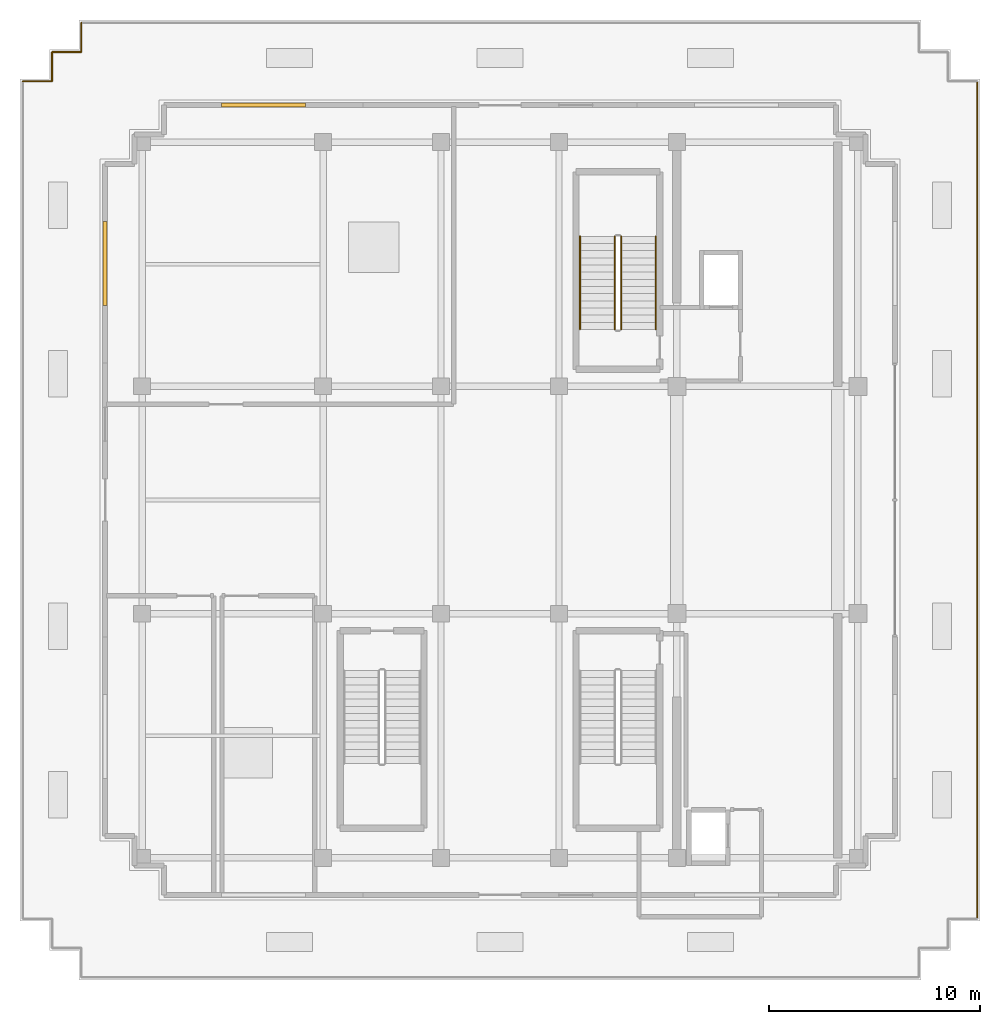
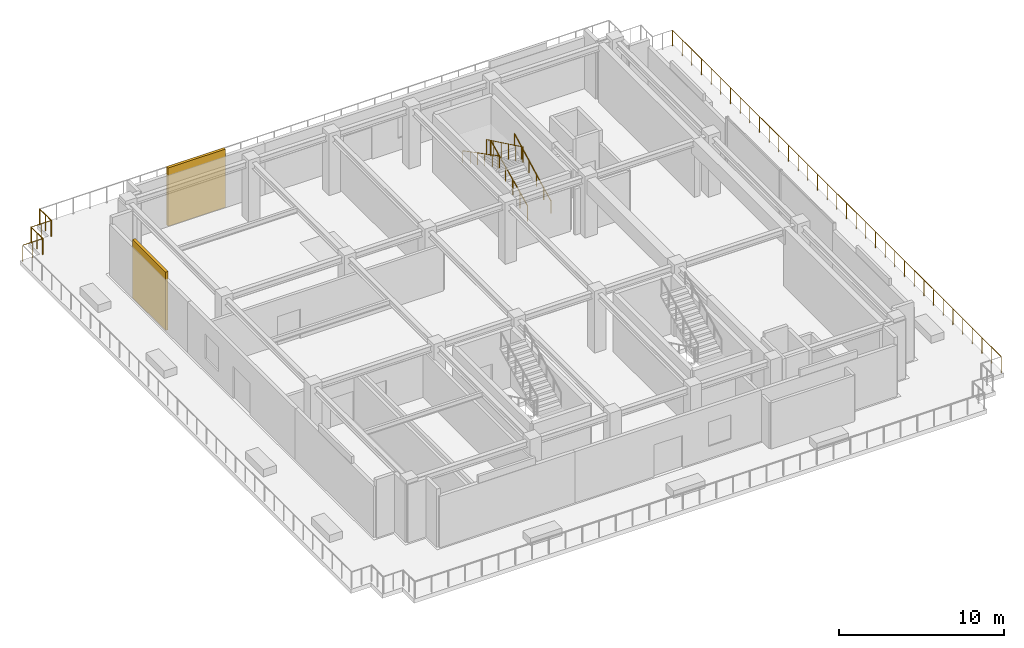
# One storey, part 10 of 13: 9 railings, 2 shading devices.
"""IFC4 building model written with IfcOpenShell, lengths in metres."""

from ifc_helpers import new_model, si_unit, direction, frame, origin, origin_2d, place, context, subcontext, project, spatial, rectangle, circle, extrude, source, transform, mapped, material, layer, layer_set, type_object, element, save


model = new_model("IFC4")

# Units and contexts
model_context = context("Model", 3, precision=1e-05, world=origin(), true_north=direction((0.0, 1.0)))
body_context = subcontext(model_context, "Body", "Model", "MODEL_VIEW")
ifc_project = project(units=[si_unit("LENGTHUNIT", "METRE"), si_unit("AREAUNIT", "SQUARE_METRE"), si_unit("VOLUMEUNIT", "CUBIC_METRE"), si_unit("PLANEANGLEUNIT", "RADIAN"), si_unit("MASSUNIT", "GRAM", prefix="KILO")], contexts=[model_context])

# Site, building, storey
site_placement = place(None, origin())
site = spatial("IfcSite", under=ifc_project, at=site_placement, CompositionType="ELEMENT")
building_placement = place(site_placement, origin())
building = spatial("IfcBuilding", under=site, at=building_placement, Name="Nahalor Promenade Grand Hotel", CompositionType="ELEMENT")
storey_placement = place(building_placement, frame((0.0, 0.0, 357.050048828125)))
storey = spatial("IfcBuildingStorey", under=building, at=storey_placement, Name="L91", CompositionType="ELEMENT", Elevation=357.050048828125)

# Railings
ifc_material_1 = material(Name="Anodised Bronze Aluminium EN AW-6063 T6", Category="aluminium")
railing_type_1 = type_object("IfcRailingType", Name="Bronze Balcony Guardrail 1200 mm", PredefinedType="GUARDRAIL", material=ifc_material_1)
railing_1_placement = place(storey_placement, frame((22.679931640625, -19.8798828125, 0.0)))
element("IfcRailing", 1, at=railing_1_placement, inside=storey, type_object=railing_type_1, Name="L91 Edge Guardrail RL-L91-SG-6", PredefinedType="GUARDRAIL", context=body_context, shape_type="SweptSolid", body=[
    extrude(circle(Radius=0.024048, at=origin_2d()), frame((0.0, 0.0, 1.17578125), z_axis=(0.0, 1.0, 0.0), x_axis=(-1.0, 0.0, 0.0)), (0.0, 0.0, 1.0), 39.759765625),
    extrude(circle(Radius=0.020996, at=origin_2d()), origin(), (0.0, 0.0, 1.0), 1.14990234375),
    extrude(circle(Radius=0.020996, at=origin_2d()), frame((0.0, 1.16943359375, 0.0)), (0.0, 0.0, 1.0), 1.14990234375),
    extrude(circle(Radius=0.020996, at=origin_2d()), frame((0.0, 2.3388671875, 0.0)), (0.0, 0.0, 1.0), 1.14990234375),
    extrude(circle(Radius=0.020996, at=origin_2d()), frame((0.0, 3.50830078125, 0.0)), (0.0, 0.0, 1.0), 1.14990234375),
    extrude(circle(Radius=0.020996, at=origin_2d()), frame((0.0, 4.677734375, 0.0)), (0.0, 0.0, 1.0), 1.14990234375),
    extrude(circle(Radius=0.020996, at=origin_2d()), frame((0.0, 5.846923828125, 0.0)), (0.0, 0.0, 1.0), 1.14990234375),
    extrude(circle(Radius=0.020996, at=origin_2d()), frame((0.0, 7.016357421875, 0.0)), (0.0, 0.0, 1.0), 1.14990234375),
    extrude(circle(Radius=0.020996, at=origin_2d()), frame((0.0, 8.185791015625, 0.0)), (0.0, 0.0, 1.0), 1.14990234375),
    extrude(circle(Radius=0.020996, at=origin_2d()), frame((0.0, 9.355224609375, 0.0)), (0.0, 0.0, 1.0), 1.14990234375),
    extrude(circle(Radius=0.020996, at=origin_2d()), frame((0.0, 10.524658203125, 0.0)), (0.0, 0.0, 1.0), 1.14990234375),
    extrude(circle(Radius=0.020996, at=origin_2d()), frame((0.0, 11.694091796875, 0.0)), (0.0, 0.0, 1.0), 1.14990234375),
    extrude(circle(Radius=0.020996, at=origin_2d()), frame((0.0, 12.863525390625, 0.0)), (0.0, 0.0, 1.0), 1.14990234375),
    extrude(circle(Radius=0.020996, at=origin_2d()), frame((0.0, 14.032958984375, 0.0)), (0.0, 0.0, 1.0), 1.14990234375),
    extrude(circle(Radius=0.020996, at=origin_2d()), frame((0.0, 15.2021484375, 0.0)), (0.0, 0.0, 1.0), 1.14990234375),
    extrude(circle(Radius=0.020996, at=origin_2d()), frame((0.0, 16.37158203125, 0.0)), (0.0, 0.0, 1.0), 1.14990234375),
    extrude(circle(Radius=0.020996, at=origin_2d()), frame((0.0, 17.541015625, 0.0)), (0.0, 0.0, 1.0), 1.14990234375),
    extrude(circle(Radius=0.020996, at=origin_2d()), frame((0.0, 18.71044921875, 0.0)), (0.0, 0.0, 1.0), 1.14990234375),
    extrude(circle(Radius=0.020996, at=origin_2d()), frame((0.0, 19.8798828125, 0.0)), (0.0, 0.0, 1.0), 1.14990234375),
    extrude(circle(Radius=0.020996, at=origin_2d()), frame((0.0, 21.04931640625, 0.0)), (0.0, 0.0, 1.0), 1.14990234375),
    extrude(circle(Radius=0.020996, at=origin_2d()), frame((0.0, 22.21875, 0.0)), (0.0, 0.0, 1.0), 1.14990234375),
    extrude(circle(Radius=0.020996, at=origin_2d()), frame((0.0, 23.38818359375, 0.0)), (0.0, 0.0, 1.0), 1.14990234375),
    extrude(circle(Radius=0.020996, at=origin_2d()), frame((0.0, 24.5576171875, 0.0)), (0.0, 0.0, 1.0), 1.14990234375),
    extrude(circle(Radius=0.020996, at=origin_2d()), frame((0.0, 25.726806640625, 0.0)), (0.0, 0.0, 1.0), 1.14990234375),
    extrude(circle(Radius=0.020996, at=origin_2d()), frame((0.0, 26.896240234375, 0.0)), (0.0, 0.0, 1.0), 1.14990234375),
    extrude(circle(Radius=0.020996, at=origin_2d()), frame((0.0, 28.065673828125, 0.0)), (0.0, 0.0, 1.0), 1.14990234375),
    extrude(circle(Radius=0.020996, at=origin_2d()), frame((0.0, 29.235107421875, 0.0)), (0.0, 0.0, 1.0), 1.14990234375),
    extrude(circle(Radius=0.020996, at=origin_2d()), frame((0.0, 30.404541015625, 0.0)), (0.0, 0.0, 1.0), 1.14990234375),
    extrude(circle(Radius=0.020996, at=origin_2d()), frame((0.0, 31.573974609375, 0.0)), (0.0, 0.0, 1.0), 1.14990234375),
    extrude(circle(Radius=0.020996, at=origin_2d()), frame((0.0, 32.743408203125, 0.0)), (0.0, 0.0, 1.0), 1.14990234375),
    extrude(circle(Radius=0.020996, at=origin_2d()), frame((0.0, 33.912841796875, 0.0)), (0.0, 0.0, 1.0), 1.14990234375),
    extrude(circle(Radius=0.020996, at=origin_2d()), frame((0.0, 35.08203125, 0.0)), (0.0, 0.0, 1.0), 1.14990234375),
    extrude(circle(Radius=0.020996, at=origin_2d()), frame((0.0, 36.25146484375, 0.0)), (0.0, 0.0, 1.0), 1.14990234375),
    extrude(circle(Radius=0.020996, at=origin_2d()), frame((0.0, 37.4208984375, 0.0)), (0.0, 0.0, 1.0), 1.14990234375),
    extrude(circle(Radius=0.020996, at=origin_2d()), frame((0.0, 38.59033203125, 0.0)), (0.0, 0.0, 1.0), 1.14990234375),
    extrude(circle(Radius=0.020996, at=origin_2d()), frame((0.0, 39.759765625, 0.0)), (0.0, 0.0, 1.0), 1.14990234375),
])
railing_2_placement = place(storey_placement, frame((-19.8798828125, 22.679931640625, 0.0)))
element("IfcRailing", 2, at=railing_2_placement, inside=storey, type_object=railing_type_1, Name="L91 Edge Guardrail RL-L91-SG-12", PredefinedType="GUARDRAIL", context=body_context, shape_type="SweptSolid", body=[
    extrude(circle(Radius=0.024048, at=origin_2d()), frame((0.0, 0.0, 1.17578125), z_axis=(0.0, -1.0, 0.0), x_axis=(1.0, 0.0, 0.0)), (0.0, 0.0, 1.0), 1.39990234375),
    extrude(circle(Radius=0.020996, at=origin_2d()), origin(), (0.0, 0.0, 1.0), 1.14990234375),
    extrude(circle(Radius=0.020996, at=origin_2d()), frame((0.0, -0.699951171875, 0.0)), (0.0, 0.0, 1.0), 1.14990234375),
    extrude(circle(Radius=0.020996, at=origin_2d()), frame((0.0, -1.39990234375, 0.0)), (0.0, 0.0, 1.0), 1.14990234375),
])
railing_3_placement = place(storey_placement, frame((-19.8798828125, 21.280029296875, 0.0)))
element("IfcRailing", 3, at=railing_3_placement, inside=storey, type_object=railing_type_1, Name="L91 Edge Guardrail RL-L91-SG-13", PredefinedType="GUARDRAIL", context=body_context, shape_type="SweptSolid", body=[
    extrude(circle(Radius=0.024048, at=origin_2d()), frame((0.0, 0.0, 1.17578125), z_axis=(-1.0, 0.0, 0.0), x_axis=(0.0, -1.0, 0.0)), (0.0, 0.0, 1.0), 1.400146484375),
    extrude(circle(Radius=0.020996, at=origin_2d()), origin(), (0.0, 0.0, 1.0), 1.14990234375),
    extrude(circle(Radius=0.020996, at=origin_2d()), frame((-0.7001953125, 0.0, 0.0)), (0.0, 0.0, 1.0), 1.14990234375),
    extrude(circle(Radius=0.020996, at=origin_2d()), frame((-1.400146484375, 0.0, 0.0)), (0.0, 0.0, 1.0), 1.14990234375),
])
railing_4_placement = place(storey_placement, frame((-21.280029296875, 21.280029296875, 0.0)))
element("IfcRailing", 4, at=railing_4_placement, inside=storey, type_object=railing_type_1, Name="L91 Edge Guardrail RL-L91-SG-14", PredefinedType="GUARDRAIL", context=body_context, shape_type="SweptSolid", body=[
    extrude(circle(Radius=0.024048, at=origin_2d()), frame((0.0, 0.0, 1.17578125), z_axis=(0.0, -1.0, 0.0), x_axis=(1.0, 0.0, 0.0)), (0.0, 0.0, 1.0), 1.400146484375),
    extrude(circle(Radius=0.020996, at=origin_2d()), origin(), (0.0, 0.0, 1.0), 1.14990234375),
    extrude(circle(Radius=0.020996, at=origin_2d()), frame((0.0, -0.7001953125, 0.0)), (0.0, 0.0, 1.0), 1.14990234375),
    extrude(circle(Radius=0.020996, at=origin_2d()), frame((0.0, -1.400146484375, 0.0)), (0.0, 0.0, 1.0), 1.14990234375),
])
railing_5_placement = place(storey_placement, frame((-21.280029296875, 19.8798828125, 0.0)))
element("IfcRailing", 5, at=railing_5_placement, inside=storey, type_object=railing_type_1, Name="L91 Edge Guardrail RL-L91-SG-15", PredefinedType="GUARDRAIL", context=body_context, shape_type="SweptSolid", body=[
    extrude(circle(Radius=0.024048, at=origin_2d()), frame((0.0, 0.0, 1.17578125), z_axis=(-1.0, 0.0, 0.0), x_axis=(0.0, -1.0, 0.0)), (0.0, 0.0, 1.0), 1.39990234375),
    extrude(circle(Radius=0.020996, at=origin_2d()), origin(), (0.0, 0.0, 1.0), 1.14990234375),
    extrude(circle(Radius=0.020996, at=origin_2d()), frame((-0.699951171875, 0.0, 0.0)), (0.0, 0.0, 1.0), 1.14990234375),
    extrude(circle(Radius=0.020996, at=origin_2d()), frame((-1.39990234375, 0.0, 0.0)), (0.0, 0.0, 1.0), 1.14990234375),
])
ifc_material_2 = material(Name="Steel S355JR", Category="steel")
railing_type_2 = type_object("IfcRailingType", Name="Steel Stair Guardrail 1150 mm", PredefinedType="GUARDRAIL", material=ifc_material_2)
railing_6_placement = place(storey_placement, frame((5.75, 8.10009765625, 0.164306640625)))
element("IfcRailing", 6, at=railing_6_placement, inside=storey, type_object=railing_type_2, Name="L91 ST1 stair guard 1", PredefinedType="GUARDRAIL", context=body_context, shape_type="SweptSolid", body=[
    extrude(circle(Radius=0.024048, at=origin_2d()), frame((0.0, 0.0, 1.1259765625), z_axis=(0.0, 0.900393116817, 0.435077274962), x_axis=(-1.0, 0.0, 0.0)), (0.0, 0.0, 1.0), 4.908935546875),
    extrude(circle(Radius=0.020996, at=origin_2d()), origin(), (0.0, 0.0, 1.0), 1.099853515625),
    extrude(circle(Radius=0.020996, at=origin_2d()), frame((0.0, 0.884033203125, 0.42724609375)), (0.0, 0.0, 1.0), 1.099853515625),
    extrude(circle(Radius=0.020996, at=origin_2d()), frame((0.0, 1.76806640625, 0.854248046875)), (0.0, 0.0, 1.0), 1.099853515625),
    extrude(circle(Radius=0.020996, at=origin_2d()), frame((0.0, 2.65185546875, 1.281494140625)), (0.0, 0.0, 1.0), 1.099853515625),
    extrude(circle(Radius=0.020996, at=origin_2d()), frame((0.0, 3.535888671875, 1.70849609375)), (0.0, 0.0, 1.0), 1.099853515625),
    extrude(circle(Radius=0.020996, at=origin_2d()), frame((0.0, 4.419921875, 2.1357421875)), (0.0, 0.0, 1.0), 1.099853515625),
])
railing_7_placement = place(storey_placement, frame((5.449951171875, 12.52001953125, 2.46435546875)))
element("IfcRailing", 7, at=railing_7_placement, inside=storey, type_object=railing_type_2, Name="L91 ST1 stair guard 3", PredefinedType="GUARDRAIL", context=body_context, shape_type="SweptSolid", body=[
    extrude(circle(Radius=0.024048, at=origin_2d()), frame((0.0, 0.0, 1.1259765625), z_axis=(0.0, -0.900412599352, 0.43503695352), x_axis=(1.0, 0.0, 0.0)), (0.0, 0.0, 1.0), 4.90869140625),
    extrude(circle(Radius=0.020996, at=origin_2d()), origin(), (0.0, 0.0, 1.0), 1.099853515625),
    extrude(circle(Radius=0.020996, at=origin_2d()), frame((0.0, -0.884033203125, 0.427001953125)), (0.0, 0.0, 1.0), 1.099853515625),
    extrude(circle(Radius=0.020996, at=origin_2d()), frame((0.0, -1.76806640625, 0.854248046875)), (0.0, 0.0, 1.0), 1.099853515625),
    extrude(circle(Radius=0.020996, at=origin_2d()), frame((0.0, -2.65185546875, 1.28125)), (0.0, 0.0, 1.0), 1.099853515625),
    extrude(circle(Radius=0.020996, at=origin_2d()), frame((0.0, -3.535888671875, 1.70849609375)), (0.0, 0.0, 1.0), 1.099853515625),
    extrude(circle(Radius=0.020996, at=origin_2d()), frame((0.0, -4.419921875, 2.135498046875)), (0.0, 0.0, 1.0), 1.099853515625),
])
railing_type_3 = type_object("IfcRailingType", Name="Steel Stair Handrail 900 mm", PredefinedType="HANDRAIL", material=ifc_material_2)
railing_8_placement = place(storey_placement, frame((7.39990234375, 8.10009765625, 0.164306640625)))
element("IfcRailing", 8, at=railing_8_placement, inside=storey, type_object=railing_type_3, Name="L91 ST1 stair handrail 1", PredefinedType="HANDRAIL", context=body_context, shape_type="SweptSolid", body=[
    extrude(circle(Radius=0.024048, at=origin_2d()), frame((0.0, 0.0, 0.8759765625), z_axis=(0.0, 0.887077971717, 0.461619618402), x_axis=(-1.0, 0.0, 0.0)), (0.0, 0.0, 1.0), 4.982666015625),
    extrude(circle(Radius=0.020996, at=origin_2d()), origin(), (0.0, 0.0, 1.0), 0.849853515625),
    extrude(circle(Radius=0.020996, at=origin_2d()), frame((0.0, 0.884033203125, 0.4599609375)), (0.0, 0.0, 1.0), 0.849853515625),
    extrude(circle(Radius=0.020996, at=origin_2d()), frame((0.0, 1.76806640625, 0.919921875)), (0.0, 0.0, 1.0), 0.849853515625),
    extrude(circle(Radius=0.020996, at=origin_2d()), frame((0.0, 2.65185546875, 1.380126953125)), (0.0, 0.0, 1.0), 0.849853515625),
    extrude(circle(Radius=0.020996, at=origin_2d()), frame((0.0, 3.535888671875, 1.840087890625)), (0.0, 0.0, 1.0), 0.849853515625),
    extrude(circle(Radius=0.020996, at=origin_2d()), frame((0.0, 4.419921875, 2.300048828125)), (0.0, 0.0, 1.0), 0.849853515625),
])
railing_9_placement = place(storey_placement, frame((3.800048828125, 12.52001953125, 2.46435546875)))
element("IfcRailing", 9, at=railing_9_placement, inside=storey, type_object=railing_type_3, Name="L91 ST1 stair handrail 2", PredefinedType="HANDRAIL", context=body_context, shape_type="SweptSolid", body=[
    extrude(circle(Radius=0.024048, at=origin_2d()), frame((0.0, 0.0, 0.8759765625), z_axis=(0.0, -0.887098036063, 0.461581059418), x_axis=(1.0, 0.0, 0.0)), (0.0, 0.0, 1.0), 4.982421875),
    extrude(circle(Radius=0.020996, at=origin_2d()), origin(), (0.0, 0.0, 1.0), 0.849853515625),
    extrude(circle(Radius=0.020996, at=origin_2d()), frame((0.0, -0.884033203125, 0.4599609375)), (0.0, 0.0, 1.0), 0.849853515625),
    extrude(circle(Radius=0.020996, at=origin_2d()), frame((0.0, -1.76806640625, 0.919921875)), (0.0, 0.0, 1.0), 0.849853515625),
    extrude(circle(Radius=0.020996, at=origin_2d()), frame((0.0, -2.65185546875, 1.3798828125)), (0.0, 0.0, 1.0), 0.849853515625),
    extrude(circle(Radius=0.020996, at=origin_2d()), frame((0.0, -3.535888671875, 1.83984375)), (0.0, 0.0, 1.0), 0.849853515625),
    extrude(circle(Radius=0.020996, at=origin_2d()), frame((0.0, -4.419921875, 2.2998046875)), (0.0, 0.0, 1.0), 0.849853515625),
])

# Shading devices
ifc_layer = layer(ifc_material_1, 0.179931640625)
ifc_layer_set = layer_set([ifc_layer], Name="Anodised Bronze Aluminium EN AW-6063 T6")
shading_device_type = type_object("IfcShadingDeviceType", Name="Shade-PlantLouvre-Bronze", PredefinedType="USERDEFINED", material=ifc_layer_set)
shared_shape = source(origin(), body_context, "Body", "SweptSolid", [
    extrude(rectangle(XDim=4.0, YDim=0.179931640625, at=origin_2d()), origin(), (0.0, 0.0, 1.0), 4.300048828125),
])
for number, where, z_axis, x_axis, name in (
    (10, (-11.22998046875, 18.760009765625, 0.0), (0.0, 0.0, 1.0), (1.0, 0.0, 0.0), "LV-L91-NL"),
    (11, (-18.760009765625, 11.22998046875, 0.0), (0.0, 0.0, 1.0), (0.0, 1.0, 0.0), "LV-L91-WR"),
):
    element("IfcShadingDevice", number, at=place(storey_placement, frame(where, z_axis=z_axis, x_axis=x_axis)), inside=storey, type_object=shading_device_type, Name=name, ObjectType="LOUVRE", PredefinedType="USERDEFINED", context=body_context, shape_type="MappedRepresentation", body=[
        mapped(shared_shape, transform((0.0, 0.0, 0.0), scale=1.0)),
    ])

save(model, "model.ifc")
